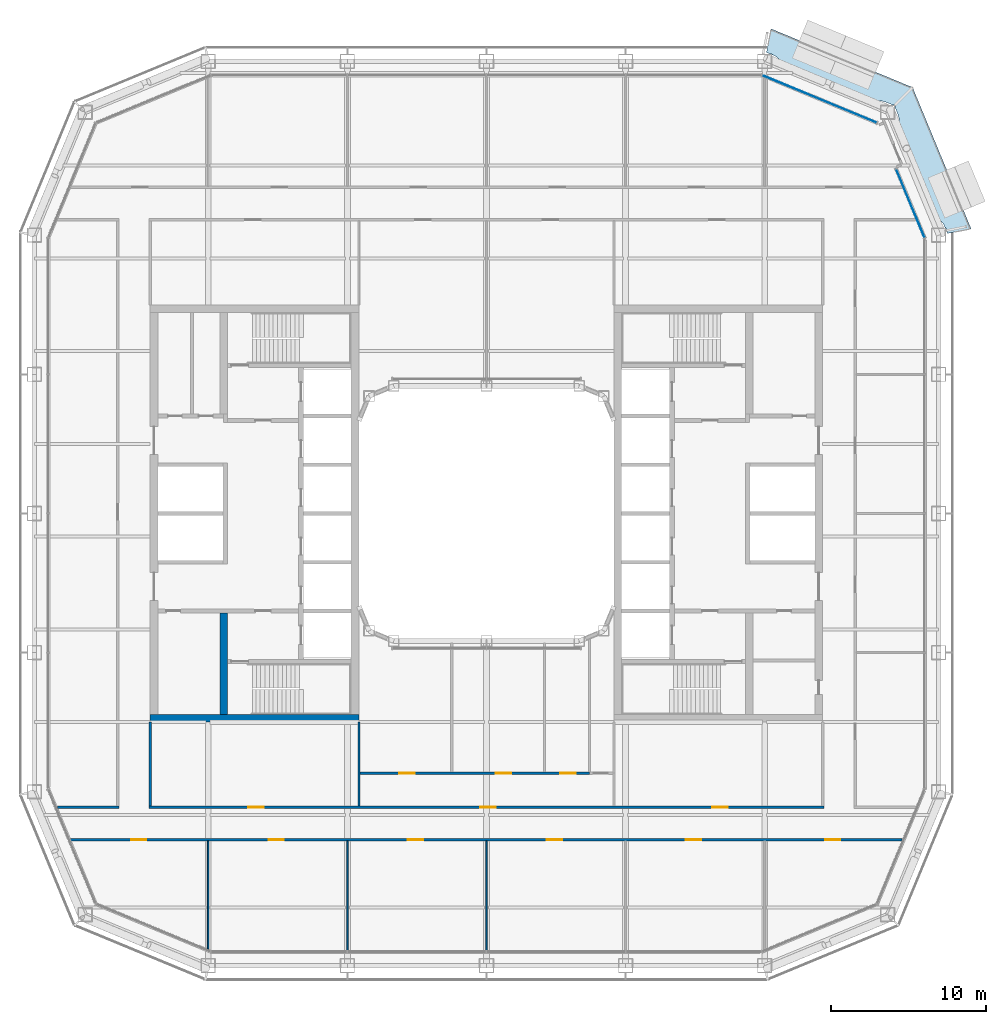
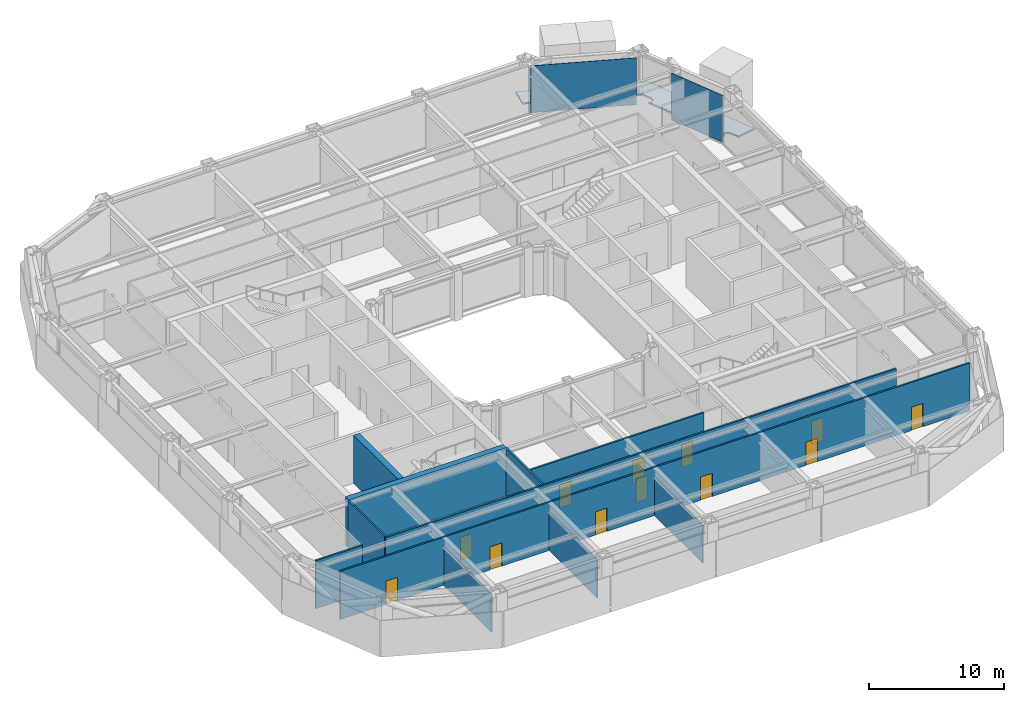
# One storey, part 11 of 23: 12 doors, 11 walls, 2 plates, 1 slab, 12 openings, 2 elements without a shape of their own.
"""IFC4 building model written with IfcOpenShell, lengths in metres."""

from ifc_helpers import new_model, si_unit, direction, frame, frame_2d, origin, origin_2d, place, context, subcontext, project, spatial, polyline, rectangle, outline, extrude, material, layer, layer_set, type_object, element, fill, aggregate, save


model = new_model("IFC4")

# Units and contexts
model_context = context("Model", 3, precision=1e-05, world=origin(), true_north=direction((0.0, 1.0)))
body_context = subcontext(model_context, "Body", "Model", "MODEL_VIEW")
ifc_project = project(units=[si_unit("LENGTHUNIT", "METRE"), si_unit("AREAUNIT", "SQUARE_METRE"), si_unit("VOLUMEUNIT", "CUBIC_METRE"), si_unit("PLANEANGLEUNIT", "RADIAN"), si_unit("MASSUNIT", "GRAM", prefix="KILO")], contexts=[model_context])

# Site, building, storey
site_placement = place(None, origin())
site = spatial("IfcSite", under=ifc_project, at=site_placement, CompositionType="ELEMENT")
building_placement = place(site_placement, origin())
building = spatial("IfcBuilding", under=site, at=building_placement, Name="Siwar Civic Tower", CompositionType="ELEMENT")
storey_placement = place(building_placement, frame((0.0, 0.0, 131.699951171875)))
storey = spatial("IfcBuildingStorey", under=building, at=storey_placement, Name="L28", CompositionType="ELEMENT", Elevation=131.699951171875)

# Slab
ifc_material_1 = material(Name="Concrete C40/50", Category="concrete")
ifc_layer_1 = layer(ifc_material_1, 0.14990234375)
ifc_layer_set_1 = layer_set([ifc_layer_1], Name="Concrete C40/50")
slab_type = type_object("IfcSlabType", Name="ENV-BALCONY DECK 150", PredefinedType="FLOOR", material=ifc_layer_set_1)
slab_placement = place(storey_placement, frame((0.0, 0.0, -0.1494140625)))
element("IfcSlab", 1, at=slab_placement, inside=storey, type_object=slab_type, Name="Tree balcony deck NE", PredefinedType="FLOOR", context=body_context, shape_type="SweptSolid", body=[
    extrude(outline(polyline([(26.43310546875, 26.263427734375), (26.435546875, 26.258056640625), (26.435546875, 26.258056640625), (26.44580078125, 26.2333984375), (26.479736328125, 26.151611328125), (26.575439453125, 25.921875), (26.585693359375, 25.897216796875), (26.589111328125, 25.88916015625), (26.58984375, 25.88720703125), (26.617431640625, 25.81494140625), (26.619140625, 25.81005859375), (26.639404296875, 25.74462890625), (26.640625, 25.740234375), (26.65673828125, 25.673583984375), (26.65771484375, 25.669189453125), (26.669921875, 25.601806640625), (26.67041015625, 25.59765625), (26.6787109375, 25.529541015625), (26.67919921875, 25.523681640625), (26.67919921875, 25.517578125), (26.6748046875, 25.406005859375), (26.674072265625, 25.397216796875), (26.672119140625, 25.388671875), (26.66015625, 25.345703125), (26.65869140625, 25.34130859375), (26.64404296875, 25.299072265625), (26.640869140625, 25.29150390625), (26.63720703125, 25.284423828125), (26.61669921875, 25.251220703125), (26.614501953125, 25.247802734375), (26.59228515625, 25.216064453125), (26.58740234375, 25.209716796875), (26.581787109375, 25.203857421875), (26.575439453125, 25.19873046875), (26.56884765625, 25.1943359375), (26.561767578125, 25.190673828125), (26.531494140625, 25.177001953125), (26.52734375, 25.17529296875), (26.496337890625, 25.16357421875), (26.488525390625, 25.1611328125), (26.480712890625, 25.159423828125), (26.47265625, 25.15869140625), (26.464599609375, 25.15869140625), (26.456787109375, 25.15966796875), (26.418701171875, 25.166259765625), (26.41455078125, 25.167236328125), (26.376708984375, 25.176025390625), (26.368896484375, 25.17822265625), (26.361328125, 25.181396484375), (26.321044921875, 25.20068359375), (26.31689453125, 25.202880859375), (26.27783203125, 25.224609375), (26.2705078125, 25.2294921875), (26.263671875, 25.23486328125), (26.246826171875, 25.25048828125), (28.949951171875, 18.724609375), (28.951904296875, 18.77490234375), (28.95263671875, 18.783447265625), (28.95458984375, 18.7919921875), (28.966552734375, 18.835205078125), (28.968017578125, 18.839599609375), (28.982666015625, 18.8818359375), (28.98583984375, 18.889404296875), (28.98974609375, 18.896484375), (29.010009765625, 18.9296875), (29.013916015625, 18.935302734375), (29.018310546875, 18.940673828125), (29.023193359375, 18.945556640625), (29.048583984375, 18.968994140625), (29.052001953125, 18.971923828125), (29.078857421875, 18.99365234375), (29.084716796875, 18.998046875), (29.0908203125, 19.001708984375), (29.097412109375, 19.0048828125), (29.104248046875, 19.00732421875), (29.111083984375, 19.009033203125), (29.118408203125, 19.01025390625), (29.15283203125, 19.013671875), (29.1572265625, 19.01416015625), (29.19189453125, 19.015625), (29.19873046875, 19.015625), (29.20556640625, 19.01513671875), (29.21240234375, 19.013671875), (29.25, 19.0048828125), (29.2578125, 19.002685546875), (29.265380859375, 18.99951171875), (29.305908203125, 18.980224609375), (29.309814453125, 18.97802734375), (29.348876953125, 18.956298828125), (29.356201171875, 18.951416015625), (29.363037109375, 18.946044921875), (29.4453125, 18.870361328125), (29.44970703125, 18.865966796875), (29.453369140625, 18.861572265625), (29.495849609375, 18.8076171875), (29.498291015625, 18.80419921875), (29.53759765625, 18.748046875), (29.5400390625, 18.744384765625), (29.575927734375, 18.68603515625), (29.578369140625, 18.681884765625), (29.610595703125, 18.62158203125), (29.61279296875, 18.616943359375), (29.64453125, 18.54638671875), (29.645263671875, 18.54443359375), (29.674072265625, 18.47509765625), (29.72509765625, 18.47509765625), (29.72509765625, 18.352783203125), (29.771728515625, 18.24072265625), (29.798828125, 18.175048828125), (29.798828125, 18.175048828125), (29.8017578125, 18.16748046875), (29.807373046875, 18.148193359375), (29.80908203125, 18.140625), (29.81005859375, 18.1328125), (29.8115234375, 18.1123046875), (29.8115234375, 18.11181640625), (31.35009765625, 18.417724609375), (27.562255859375, 27.562255859375), (18.417724609375, 31.35009765625), (18.111083984375, 29.80810546875), (18.114013671875, 29.808349609375), (18.13037109375, 29.80859375), (18.136962890625, 29.808349609375), (18.1435546875, 29.8076171875), (18.150146484375, 29.80615234375), (18.1650390625, 29.80224609375), (18.175048828125, 29.798828125), (18.19970703125, 29.788818359375), (18.24072265625, 29.771728515625), (18.25146484375, 29.76708984375), (18.28173828125, 29.754638671875), (18.352783203125, 29.72509765625), (18.47509765625, 29.72509765625), (18.47509765625, 29.674072265625), (18.54443359375, 29.645263671875), (18.54638671875, 29.64453125), (18.616943359375, 29.61279296875), (18.62158203125, 29.610595703125), (18.681884765625, 29.578369140625), (18.68603515625, 29.575927734375), (18.744384765625, 29.5400390625), (18.748046875, 29.53759765625), (18.80419921875, 29.498291015625), (18.8076171875, 29.495849609375), (18.861572265625, 29.453369140625), (18.865966796875, 29.44970703125), (18.870361328125, 29.4453125), (18.946044921875, 29.363037109375), (18.951416015625, 29.356201171875), (18.956298828125, 29.348876953125), (18.97802734375, 29.309814453125), (18.980224609375, 29.305908203125), (18.99951171875, 29.265380859375), (19.002685546875, 29.2578125), (19.0048828125, 29.25), (19.013671875, 29.21240234375), (19.01513671875, 29.20556640625), (19.015625, 29.19873046875), (19.015625, 29.19189453125), (19.01416015625, 29.1572265625), (19.013671875, 29.15283203125), (19.01025390625, 29.118408203125), (19.009033203125, 29.111083984375), (19.00732421875, 29.104248046875), (19.0048828125, 29.097412109375), (19.001708984375, 29.0908203125), (18.998046875, 29.084716796875), (18.99365234375, 29.078857421875), (18.971923828125, 29.052001953125), (18.968994140625, 29.048583984375), (18.945556640625, 29.023193359375), (18.940673828125, 29.018310546875), (18.935302734375, 29.013916015625), (18.9296875, 29.010009765625), (18.896484375, 28.98974609375), (18.889404296875, 28.98583984375), (18.8818359375, 28.982666015625), (18.839599609375, 28.968017578125), (18.835205078125, 28.966552734375), (18.7919921875, 28.95458984375), (18.783447265625, 28.95263671875), (18.77490234375, 28.951904296875), (18.724609375, 28.949951171875), (25.25048828125, 26.246826171875), (25.23486328125, 26.263671875), (25.2294921875, 26.2705078125), (25.224609375, 26.27783203125), (25.202880859375, 26.31689453125), (25.20068359375, 26.321044921875), (25.181396484375, 26.361328125), (25.17822265625, 26.368896484375), (25.176025390625, 26.376708984375), (25.167236328125, 26.41455078125), (25.166259765625, 26.418701171875), (25.15966796875, 26.456787109375), (25.15869140625, 26.464599609375), (25.15869140625, 26.47265625), (25.159423828125, 26.480712890625), (25.1611328125, 26.488525390625), (25.16357421875, 26.496337890625), (25.17529296875, 26.52734375), (25.177001953125, 26.531494140625), (25.190673828125, 26.561767578125), (25.1943359375, 26.56884765625), (25.19873046875, 26.575439453125), (25.203857421875, 26.581787109375), (25.209716796875, 26.58740234375), (25.216064453125, 26.59228515625), (25.247802734375, 26.614501953125), (25.251220703125, 26.61669921875), (25.284423828125, 26.63720703125), (25.29150390625, 26.640869140625), (25.299072265625, 26.64404296875), (25.34130859375, 26.65869140625), (25.345703125, 26.66015625), (25.388671875, 26.672119140625), (25.397216796875, 26.674072265625), (25.406005859375, 26.6748046875), (25.517578125, 26.67919921875), (25.523681640625, 26.67919921875), (25.529541015625, 26.6787109375), (25.59765625, 26.67041015625), (25.601806640625, 26.669921875), (25.669189453125, 26.65771484375), (25.673583984375, 26.65673828125), (25.740234375, 26.640625), (25.74462890625, 26.639404296875), (25.81005859375, 26.619140625), (25.81494140625, 26.617431640625), (25.88720703125, 26.58984375), (25.88916015625, 26.589111328125), (25.897216796875, 26.585693359375), (25.921875, 26.575439453125), (26.151611328125, 26.479736328125), (26.2333984375, 26.44580078125), (26.258056640625, 26.435546875), (26.267578125, 26.4306640625), (26.268798828125, 26.429931640625), (26.429931640625, 26.429931640625), (26.429931640625, 26.26953125), (26.43310546875, 26.263427734375)])), origin(), (0.0, 0.0, 1.0), 0.1494140625),
])

# Curtain wall, plate
ifc_material_2 = material(Name="Aluminium clad insulated panel", Category="aluminium")
ifc_layer_2 = layer(ifc_material_2, 0.199951171875)
ifc_layer_set_2 = layer_set([ifc_layer_2], Name="Aluminium clad insulated panel")
curtain_wall_type = type_object("IfcCurtainWallType", Name="ENV-CW-BX", PredefinedType="NOTDEFINED", material=ifc_layer_set_2)
curtain_wall_1_placement = place(storey_placement, origin())
curtain_wall_1 = element("IfcCurtainWall", 2, at=curtain_wall_1_placement, inside=storey, type_object=curtain_wall_type, Name="Curtain wall B NE1", PredefinedType="NOTDEFINED")
ifc_material_3 = material(Name="Aluminium clad insulated panel", Category="aluminium")
ifc_layer_3 = layer(ifc_material_3, 0.033935546875)
ifc_layer_set_3 = layer_set([ifc_layer_3], Name="Aluminium clad insulated panel")
plate_type = type_object("IfcPlateType", Name="ENV-PANEL-BX", PredefinedType="CURTAIN_PANEL", material=ifc_layer_set_3)
plate_1_placement = place(storey_placement, frame((27.422607421875, 20.06005859375, 0.10986328125), z_axis=(0.0, 0.0, 1.0), x_axis=(-0.382683432365, 0.923879532511, 0.0)))
plate_1 = element("IfcPlate", 3, at=plate_1_placement, type_object=plate_type, Name="Curtain panel B NE1 1", PredefinedType="CURTAIN_PANEL", context=body_context, shape_type="SweptSolid", body=[
    extrude(rectangle(XDim=4.7822265625, YDim=0.033935546875, at=origin_2d()), origin(), (0.0, 0.0, 1.0), 4.239990234375),
])
aggregate(curtain_wall_1, [plate_1])

curtain_wall_2_placement = place(storey_placement, origin())
curtain_wall_2 = element("IfcCurtainWall", 4, at=curtain_wall_2_placement, inside=storey, type_object=curtain_wall_type, Name="Curtain wall B NE2", PredefinedType="NOTDEFINED")
plate_2_placement = place(storey_placement, frame((21.5810546875, 26.79248046875, 0.10986328125), z_axis=(0.0, 0.0, 1.0), x_axis=(-0.923879532511, 0.382683432365, 0.0)))
plate_2 = element("IfcPlate", 5, at=plate_2_placement, type_object=plate_type, Name="Curtain panel B NE2 1", PredefinedType="CURTAIN_PANEL", context=body_context, shape_type="SweptSolid", body=[
    extrude(rectangle(XDim=7.912353515625, YDim=0.033935546875, at=origin_2d()), origin(), (0.0, 0.0, 1.0), 4.239990234375),
])
aggregate(curtain_wall_2, [plate_2])

# Walls
ifc_material_4 = material(Name="Concrete C60/75", Category="concrete")
ifc_layer_4 = layer(ifc_material_4, 0.5)
ifc_layer_set_4 = layer_set([ifc_layer_4], Name="Concrete C60/75")
wall_type_1 = type_object("IfcWallType", Name="CORE-WALL-RC500", PredefinedType="SHEAR", material=ifc_layer_set_4)
wall_1_placement = place(storey_placement, frame((-17.0, -13.0, 0.0), z_axis=(0.0, 0.0, 1.0), x_axis=(0.0, 1.0, 0.0)))
element("IfcWall", 6, at=wall_1_placement, inside=storey, type_object=wall_type_1, Name="Core wall W", PredefinedType="SHEAR", context=body_context, shape_type="SweptSolid", body=[
    extrude(rectangle(XDim=6.574951171875, YDim=0.5, at=frame_2d((3.28759765625, 0.0))), origin(), (0.0, 0.0, 1.0), 4.35009765625),
])
wall_2_placement = place(storey_placement, frame((-8.25, -13.25, 0.0), z_axis=(0.0, 0.0, 1.0), x_axis=(-1.0, 0.0, 0.0)))
element("IfcWall", 7, at=wall_2_placement, inside=storey, type_object=wall_type_1, Name="Core wall W", PredefinedType="SHEAR", context=body_context, shape_type="SweptSolid", body=[
    extrude(rectangle(XDim=13.5, YDim=0.5, at=frame_2d((6.75, 0.0))), origin(), (0.0, 0.0, 1.0), 4.35009765625),
])

# Wall, openings, doors
ifc_material_5 = material(Name="Gypsum board on steel studs", Category="steel")
ifc_layer_5 = layer(ifc_material_5, 0.14990234375)
ifc_layer_set_5 = layer_set([ifc_layer_5], Name="Gypsum board on steel studs")
wall_type_2 = type_object("IfcWallType", Name="CORRIDOR PARTITION 150 EI 30", PredefinedType="PARTITIONING", material=ifc_layer_set_5)
wall_3_placement = place(storey_placement, frame((-26.89404296875, -21.10009765625, 0.0), z_axis=(0.0, 0.0, 1.0), x_axis=(1.0, 0.0, 0.0)))
wall_3 = element("IfcWall", 8, at=wall_3_placement, inside=storey, type_object=wall_type_2, Name="L28/wall/P01", PredefinedType="PARTITIONING", context=body_context, shape_type="SweptSolid", body=[
    extrude(rectangle(XDim=53.7880859375, YDim=0.14990234375, at=frame_2d((26.89404296875, 0.0))), origin(), (0.0, 0.0, 1.0), 4.35009765625),
])
opening_1_placement = place(wall_3_placement, frame((12.7939453125, 0.0, 0.0)))
opening_1 = element("IfcOpeningElement", 9, at=opening_1_placement, cuts=wall_3, Name="Opening D1", PredefinedType="OPENING", context=body_context, shape_type="SweptSolid", body=[
    extrude(rectangle(XDim=1.0, YDim=2.10009765625, at=frame_2d((0.5, 1.050048828125))), frame((0.0, 0.0849609375, 0.0), z_axis=(0.0, -1.0, 0.0), x_axis=(1.0, 0.0, 0.0)), (0.0, 0.0, 1.0), 0.169921875),
])
opening_2_placement = place(wall_3_placement, frame((21.7939453125, 0.0, 0.0)))
opening_2 = element("IfcOpeningElement", 10, at=opening_2_placement, cuts=wall_3, Name="Opening D1", PredefinedType="OPENING", context=body_context, shape_type="SweptSolid", body=[
    extrude(rectangle(XDim=1.0, YDim=2.10009765625, at=frame_2d((0.5, 1.050048828125))), frame((0.0, 0.0849609375, 0.0), z_axis=(0.0, -1.0, 0.0), x_axis=(1.0, 0.0, 0.0)), (0.0, 0.0, 1.0), 0.169921875),
])
opening_3_placement = place(wall_3_placement, frame((30.7939453125, 0.0, 0.0)))
opening_3 = element("IfcOpeningElement", 11, at=opening_3_placement, cuts=wall_3, Name="Opening D1", PredefinedType="OPENING", context=body_context, shape_type="SweptSolid", body=[
    extrude(rectangle(XDim=1.0, YDim=2.10009765625, at=frame_2d((0.5, 1.050048828125))), frame((0.0, 0.0849609375, 0.0), z_axis=(0.0, -1.0, 0.0), x_axis=(1.0, 0.0, 0.0)), (0.0, 0.0, 1.0), 0.169921875),
])
opening_4_placement = place(wall_3_placement, frame((39.7939453125, 0.0, 0.0)))
opening_4 = element("IfcOpeningElement", 12, at=opening_4_placement, cuts=wall_3, Name="Opening D1", PredefinedType="OPENING", context=body_context, shape_type="SweptSolid", body=[
    extrude(rectangle(XDim=1.0, YDim=2.10009765625, at=frame_2d((0.5, 1.050048828125))), frame((0.0, 0.0849609375, 0.0), z_axis=(0.0, -1.0, 0.0), x_axis=(1.0, 0.0, 0.0)), (0.0, 0.0, 1.0), 0.169921875),
])
opening_5_placement = place(wall_3_placement, frame((3.89990234375, 0.0, 0.0)))
opening_5 = element("IfcOpeningElement", 13, at=opening_5_placement, cuts=wall_3, Name="Opening D1", PredefinedType="OPENING", context=body_context, shape_type="SweptSolid", body=[
    extrude(rectangle(XDim=1.0, YDim=2.10009765625, at=frame_2d((0.5, 1.050048828125))), frame((0.0, 0.0849609375, 0.0), z_axis=(0.0, -1.0, 0.0), x_axis=(1.0, 0.0, 0.0)), (0.0, 0.0, 1.0), 0.169921875),
])
opening_6_placement = place(wall_3_placement, frame((48.7939453125, 0.0, 0.0)))
opening_6 = element("IfcOpeningElement", 14, at=opening_6_placement, cuts=wall_3, Name="Opening D1", PredefinedType="OPENING", context=body_context, shape_type="SweptSolid", body=[
    extrude(rectangle(XDim=1.0, YDim=2.10009765625, at=frame_2d((0.5, 1.050048828125))), frame((0.0, 0.0849609375, 0.0), z_axis=(0.0, -1.0, 0.0), x_axis=(1.0, 0.0, 0.0)), (0.0, 0.0, 1.0), 0.169921875),
])
ifc_material_6 = material(Name="Timber, painted", Category="wood")
door_type_1 = type_object("IfcDoorType", Name="DOOR 1000 X 2100 FD30", OperationType="SINGLE_SWING_LEFT", PredefinedType="DOOR", material=ifc_material_6)
door_1_placement = place(opening_1_placement, origin())
door_1 = element("IfcDoor", 15, at=door_1_placement, inside=storey, type_object=door_type_1, Name="L28-D05", OperationType="SINGLE_SWING_LEFT", OverallHeight=2.10009765625, OverallWidth=1.0, PredefinedType="DOOR", context=body_context, shape_type="SweptSolid", body=[
    extrude(rectangle(XDim=1.0, YDim=2.10009765625, at=frame_2d((0.5, 1.050048828125))), frame((0.0, 0.02490234375, 0.0), z_axis=(0.0, -1.0, 0.0), x_axis=(1.0, 0.0, 0.0)), (0.0, 0.0, 1.0), 0.050048828125),
])
fill(opening_1, door_1)
door_2_placement = place(opening_2_placement, origin())
door_2 = element("IfcDoor", 16, at=door_2_placement, inside=storey, type_object=door_type_1, Name="L28-D06", OperationType="SINGLE_SWING_RIGHT", OverallHeight=2.10009765625, OverallWidth=1.0, PredefinedType="DOOR", context=body_context, shape_type="SweptSolid", body=[
    extrude(rectangle(XDim=1.0, YDim=2.10009765625, at=frame_2d((0.5, 1.050048828125))), frame((0.0, 0.02490234375, 0.0), z_axis=(0.0, -1.0, 0.0), x_axis=(1.0, 0.0, 0.0)), (0.0, 0.0, 1.0), 0.050048828125),
])
fill(opening_2, door_2)
door_3_placement = place(opening_3_placement, origin())
door_3 = element("IfcDoor", 17, at=door_3_placement, inside=storey, type_object=door_type_1, Name="L28-D07", OperationType="SINGLE_SWING_LEFT", OverallHeight=2.10009765625, OverallWidth=1.0, PredefinedType="DOOR", context=body_context, shape_type="SweptSolid", body=[
    extrude(rectangle(XDim=1.0, YDim=2.10009765625, at=frame_2d((0.5, 1.050048828125))), frame((0.0, 0.02490234375, 0.0), z_axis=(0.0, -1.0, 0.0), x_axis=(1.0, 0.0, 0.0)), (0.0, 0.0, 1.0), 0.050048828125),
])
fill(opening_3, door_3)
door_4_placement = place(opening_4_placement, origin())
door_4 = element("IfcDoor", 18, at=door_4_placement, inside=storey, type_object=door_type_1, Name="L28-D08", OperationType="SINGLE_SWING_RIGHT", OverallHeight=2.10009765625, OverallWidth=1.0, PredefinedType="DOOR", context=body_context, shape_type="SweptSolid", body=[
    extrude(rectangle(XDim=1.0, YDim=2.10009765625, at=frame_2d((0.5, 1.050048828125))), frame((0.0, 0.02490234375, 0.0), z_axis=(0.0, -1.0, 0.0), x_axis=(1.0, 0.0, 0.0)), (0.0, 0.0, 1.0), 0.050048828125),
])
fill(opening_4, door_4)
door_5_placement = place(opening_5_placement, origin())
door_5 = element("IfcDoor", 19, at=door_5_placement, inside=storey, type_object=door_type_1, Name="L28-D11", OperationType="SINGLE_SWING_LEFT", OverallHeight=2.10009765625, OverallWidth=1.0, PredefinedType="DOOR", context=body_context, shape_type="SweptSolid", body=[
    extrude(rectangle(XDim=1.0, YDim=2.10009765625, at=frame_2d((0.5, 1.050048828125))), frame((0.0, 0.02490234375, 0.0), z_axis=(0.0, -1.0, 0.0), x_axis=(1.0, 0.0, 0.0)), (0.0, 0.0, 1.0), 0.050048828125),
])
fill(opening_5, door_5)
door_6_placement = place(opening_6_placement, origin())
door_6 = element("IfcDoor", 20, at=door_6_placement, inside=storey, type_object=door_type_1, Name="L28-D12", OperationType="SINGLE_SWING_RIGHT", OverallHeight=2.10009765625, OverallWidth=1.0, PredefinedType="DOOR", context=body_context, shape_type="SweptSolid", body=[
    extrude(rectangle(XDim=1.0, YDim=2.10009765625, at=frame_2d((0.5, 1.050048828125))), frame((0.0, 0.02490234375, 0.0), z_axis=(0.0, -1.0, 0.0), x_axis=(1.0, 0.0, 0.0)), (0.0, 0.0, 1.0), 0.050048828125),
])
fill(opening_6, door_6)

# Wall
wall_4_placement = place(storey_placement, frame((-27.763916015625, -19.0, 0.0), z_axis=(0.0, 0.0, 1.0), x_axis=(1.0, 0.0, 0.0)))
element("IfcWall", 21, at=wall_4_placement, inside=storey, type_object=wall_type_2, Name="L28/wall/P02", PredefinedType="PARTITIONING", context=body_context, shape_type="SweptSolid", body=[
    extrude(rectangle(XDim=3.989013671875, YDim=0.14990234375, at=frame_2d((1.99462890625, 0.0))), origin(), (0.0, 0.0, 1.0), 4.35009765625),
])

# Wall, openings, doors
wall_5_placement = place(storey_placement, frame((-21.824951171875, -19.0, 0.0), z_axis=(0.0, 0.0, 1.0), x_axis=(1.0, 0.0, 0.0)))
wall_5 = element("IfcWall", 22, at=wall_5_placement, inside=storey, type_object=wall_type_2, Name="L28/wall/P03", PredefinedType="PARTITIONING", context=body_context, shape_type="SweptSolid", body=[
    extrude(rectangle(XDim=43.64990234375, YDim=0.14990234375, at=frame_2d((21.824951171875, 0.0))), origin(), (0.0, 0.0, 1.0), 4.35009765625),
])
opening_7_placement = place(wall_5_placement, frame((21.425048828125, 0.0, 0.0)))
opening_7 = element("IfcOpeningElement", 23, at=opening_7_placement, cuts=wall_5, Name="Opening D1", PredefinedType="OPENING", context=body_context, shape_type="SweptSolid", body=[
    extrude(rectangle(XDim=1.0, YDim=2.10009765625, at=frame_2d((0.5, 1.050048828125))), frame((0.0, 0.0849609375, 0.0), z_axis=(0.0, -1.0, 0.0), x_axis=(1.0, 0.0, 0.0)), (0.0, 0.0, 1.0), 0.169921875),
])
opening_8_placement = place(wall_5_placement, frame((6.425048828125, 0.0, 0.0)))
opening_8 = element("IfcOpeningElement", 24, at=opening_8_placement, cuts=wall_5, Name="Opening D1", PredefinedType="OPENING", context=body_context, shape_type="SweptSolid", body=[
    extrude(rectangle(XDim=1.0, YDim=2.10009765625, at=frame_2d((0.5, 1.050048828125))), frame((0.0, 0.0849609375, 0.0), z_axis=(0.0, -1.0, 0.0), x_axis=(1.0, 0.0, 0.0)), (0.0, 0.0, 1.0), 0.169921875),
])
opening_9_placement = place(wall_5_placement, frame((36.425048828125, 0.0, 0.0)))
opening_9 = element("IfcOpeningElement", 25, at=opening_9_placement, cuts=wall_5, Name="Opening D1", PredefinedType="OPENING", context=body_context, shape_type="SweptSolid", body=[
    extrude(rectangle(XDim=1.0, YDim=2.10009765625, at=frame_2d((0.5, 1.050048828125))), frame((0.0, 0.0849609375, 0.0), z_axis=(0.0, -1.0, 0.0), x_axis=(1.0, 0.0, 0.0)), (0.0, 0.0, 1.0), 0.169921875),
])
door_7_placement = place(opening_7_placement, origin())
door_7 = element("IfcDoor", 26, at=door_7_placement, inside=storey, type_object=door_type_1, Name="L28-D15", OperationType="SINGLE_SWING_LEFT", OverallHeight=2.10009765625, OverallWidth=1.0, PredefinedType="DOOR", context=body_context, shape_type="SweptSolid", body=[
    extrude(rectangle(XDim=1.0, YDim=2.10009765625, at=frame_2d((0.5, 1.050048828125))), frame((0.0, 0.02490234375, 0.0), z_axis=(0.0, -1.0, 0.0), x_axis=(1.0, 0.0, 0.0)), (0.0, 0.0, 1.0), 0.050048828125),
])
fill(opening_7, door_7)
door_8_placement = place(opening_8_placement, origin())
door_8 = element("IfcDoor", 27, at=door_8_placement, inside=storey, type_object=door_type_1, Name="L28-D22", OperationType="SINGLE_SWING_RIGHT", OverallHeight=2.10009765625, OverallWidth=1.0, PredefinedType="DOOR", context=body_context, shape_type="SweptSolid", body=[
    extrude(rectangle(XDim=1.0, YDim=2.10009765625, at=frame_2d((0.5, 1.050048828125))), frame((0.0, 0.02490234375, 0.0), z_axis=(0.0, -1.0, 0.0), x_axis=(1.0, 0.0, 0.0)), (0.0, 0.0, 1.0), 0.050048828125),
])
fill(opening_8, door_8)
door_9_placement = place(opening_9_placement, origin())
door_9 = element("IfcDoor", 28, at=door_9_placement, inside=storey, type_object=door_type_1, Name="L28-D23", OperationType="SINGLE_SWING_LEFT", OverallHeight=2.10009765625, OverallWidth=1.0, PredefinedType="DOOR", context=body_context, shape_type="SweptSolid", body=[
    extrude(rectangle(XDim=1.0, YDim=2.10009765625, at=frame_2d((0.5, 1.050048828125))), frame((0.0, 0.02490234375, 0.0), z_axis=(0.0, -1.0, 0.0), x_axis=(1.0, 0.0, 0.0)), (0.0, 0.0, 1.0), 0.050048828125),
])
fill(opening_9, door_9)

wall_6_placement = place(storey_placement, frame((-8.175048828125, -16.800048828125, 0.0), z_axis=(0.0, 0.0, 1.0), x_axis=(1.0, 0.0, 0.0)))
wall_6 = element("IfcWall", 29, at=wall_6_placement, inside=storey, type_object=wall_type_2, Name="L28/wall/P05", PredefinedType="PARTITIONING", context=body_context, shape_type="SweptSolid", body=[
    extrude(rectangle(XDim=14.8349609375, YDim=0.14990234375, at=frame_2d((7.41748046875, 0.0))), origin(), (0.0, 0.0, 1.0), 4.35009765625),
])
opening_10_placement = place(wall_6_placement, frame((2.52490234375, 0.0, 0.0)))
opening_10 = element("IfcOpeningElement", 30, at=opening_10_placement, cuts=wall_6, Name="Opening D3", PredefinedType="OPENING", context=body_context, shape_type="SweptSolid", body=[
    extrude(rectangle(XDim=1.0, YDim=2.10009765625, at=frame_2d((0.5, 1.050048828125))), frame((0.0, 0.0849609375, 0.0), z_axis=(0.0, -1.0, 0.0), x_axis=(1.0, 0.0, 0.0)), (0.0, 0.0, 1.0), 0.169921875),
])
opening_11_placement = place(wall_6_placement, frame((8.77490234375, 0.0, 0.0)))
opening_11 = element("IfcOpeningElement", 31, at=opening_11_placement, cuts=wall_6, Name="Opening D3", PredefinedType="OPENING", context=body_context, shape_type="SweptSolid", body=[
    extrude(rectangle(XDim=1.0, YDim=2.10009765625, at=frame_2d((0.5, 1.050048828125))), frame((0.0, 0.0849609375, 0.0), z_axis=(0.0, -1.0, 0.0), x_axis=(1.0, 0.0, 0.0)), (0.0, 0.0, 1.0), 0.169921875),
])
opening_12_placement = place(wall_6_placement, frame((12.93505859375, 0.0, 0.0)))
opening_12 = element("IfcOpeningElement", 32, at=opening_12_placement, cuts=wall_6, Name="Opening D3", PredefinedType="OPENING", context=body_context, shape_type="SweptSolid", body=[
    extrude(rectangle(XDim=1.0, YDim=2.10009765625, at=frame_2d((0.5, 1.050048828125))), frame((0.0, 0.0849609375, 0.0), z_axis=(0.0, -1.0, 0.0), x_axis=(1.0, 0.0, 0.0)), (0.0, 0.0, 1.0), 0.169921875),
])
ifc_material_7 = material(Name="Timber, painted", Category="wood")
door_type_2 = type_object("IfcDoorType", Name="DOOR 1000 X 2100 WC", OperationType="SINGLE_SWING_LEFT", PredefinedType="DOOR", material=ifc_material_7)
door_10_placement = place(opening_10_placement, origin())
door_10 = element("IfcDoor", 33, at=door_10_placement, inside=storey, type_object=door_type_2, Name="L28-D16", OperationType="SINGLE_SWING_RIGHT", OverallHeight=2.10009765625, OverallWidth=1.0, PredefinedType="DOOR", context=body_context, shape_type="SweptSolid", body=[
    extrude(rectangle(XDim=1.0, YDim=2.10009765625, at=frame_2d((0.5, 1.050048828125))), frame((0.0, 0.02490234375, 0.0), z_axis=(0.0, -1.0, 0.0), x_axis=(1.0, 0.0, 0.0)), (0.0, 0.0, 1.0), 0.050048828125),
])
fill(opening_10, door_10)
door_11_placement = place(opening_11_placement, origin())
door_11 = element("IfcDoor", 34, at=door_11_placement, inside=storey, type_object=door_type_2, Name="L28-D17", OperationType="SINGLE_SWING_LEFT", OverallHeight=2.10009765625, OverallWidth=1.0, PredefinedType="DOOR", context=body_context, shape_type="SweptSolid", body=[
    extrude(rectangle(XDim=1.0, YDim=2.10009765625, at=frame_2d((0.5, 1.050048828125))), frame((0.0, 0.02490234375, 0.0), z_axis=(0.0, -1.0, 0.0), x_axis=(1.0, 0.0, 0.0)), (0.0, 0.0, 1.0), 0.050048828125),
])
fill(opening_11, door_11)
door_12_placement = place(opening_12_placement, origin())
door_12 = element("IfcDoor", 35, at=door_12_placement, inside=storey, type_object=door_type_2, Name="L28-D18", OperationType="SINGLE_SWING_RIGHT", OverallHeight=2.10009765625, OverallWidth=1.0, PredefinedType="DOOR", context=body_context, shape_type="SweptSolid", body=[
    extrude(rectangle(XDim=1.0, YDim=2.10009765625, at=frame_2d((0.5, 1.050048828125))), frame((0.0, 0.02490234375, 0.0), z_axis=(0.0, -1.0, 0.0), x_axis=(1.0, 0.0, 0.0)), (0.0, 0.0, 1.0), 0.050048828125),
])
fill(opening_12, door_12)

# Walls
for number, where, z_axis, x_axis, name in (
    (36, (-21.75, -18.925048828125, 0.0), (0.0, 0.0, 1.0), (0.0, 1.0, 0.0), "L28/wall/P15"),
    (37, (-8.25, -18.925048828125, 0.0), (0.0, 0.0, 1.0), (0.0, 1.0, 0.0), "L28/wall/P22"),
):
    element("IfcWall", number, at=place(storey_placement, frame(where, z_axis=z_axis, x_axis=x_axis)), inside=storey, type_object=wall_type_2, Name=name, PredefinedType="PARTITIONING", context=body_context, shape_type="SweptSolid", body=[
        extrude(rectangle(XDim=5.425048828125, YDim=0.14990234375, at=frame_2d((2.71240234375, 0.0))), origin(), (0.0, 0.0, 1.0), 4.35009765625),
    ])
ifc_material_8 = material(Name="Gypsum board on steel studs", Category="steel")
ifc_layer_6 = layer(ifc_material_8, 0.10009765625)
ifc_layer_set_6 = layer_set([ifc_layer_6], Name="Gypsum board on steel studs")
wall_type_3 = type_object("IfcWallType", Name="PARTITION 100 GYPSUM", PredefinedType="PARTITIONING", material=ifc_layer_set_6)
wall_7_placement = place(storey_placement, frame((-18.0, -28.177978515625, 0.0), z_axis=(0.0, 0.0, 1.0), x_axis=(0.0, 1.0, 0.0)))
element("IfcWall", 38, at=wall_7_placement, inside=storey, type_object=wall_type_3, Name="L28/wall/P17", PredefinedType="PARTITIONING", context=body_context, shape_type="SweptSolid", body=[
    extrude(rectangle(XDim=7.0029296875, YDim=0.10009765625, at=frame_2d((3.50146484375, 0.0))), origin(), (0.0, 0.0, 1.0), 3.449951171875),
])
for number, where, z_axis, x_axis, name in (
    (39, (-9.0, -28.260009765625, 0.0), (0.0, 0.0, 1.0), (0.0, 1.0, 0.0), "L28/wall/P19"),
    (40, (0.0, -28.260009765625, 0.0), (0.0, 0.0, 1.0), (0.0, 1.0, 0.0), "L28/wall/P24"),
):
    element("IfcWall", number, at=place(storey_placement, frame(where, z_axis=z_axis, x_axis=x_axis)), inside=storey, type_object=wall_type_3, Name=name, PredefinedType="PARTITIONING", context=body_context, shape_type="SweptSolid", body=[
        extrude(rectangle(XDim=7.0849609375, YDim=0.10009765625, at=frame_2d((3.54248046875, 0.0))), origin(), (0.0, 0.0, 1.0), 3.449951171875),
    ])

save(model, "model.ifc")
